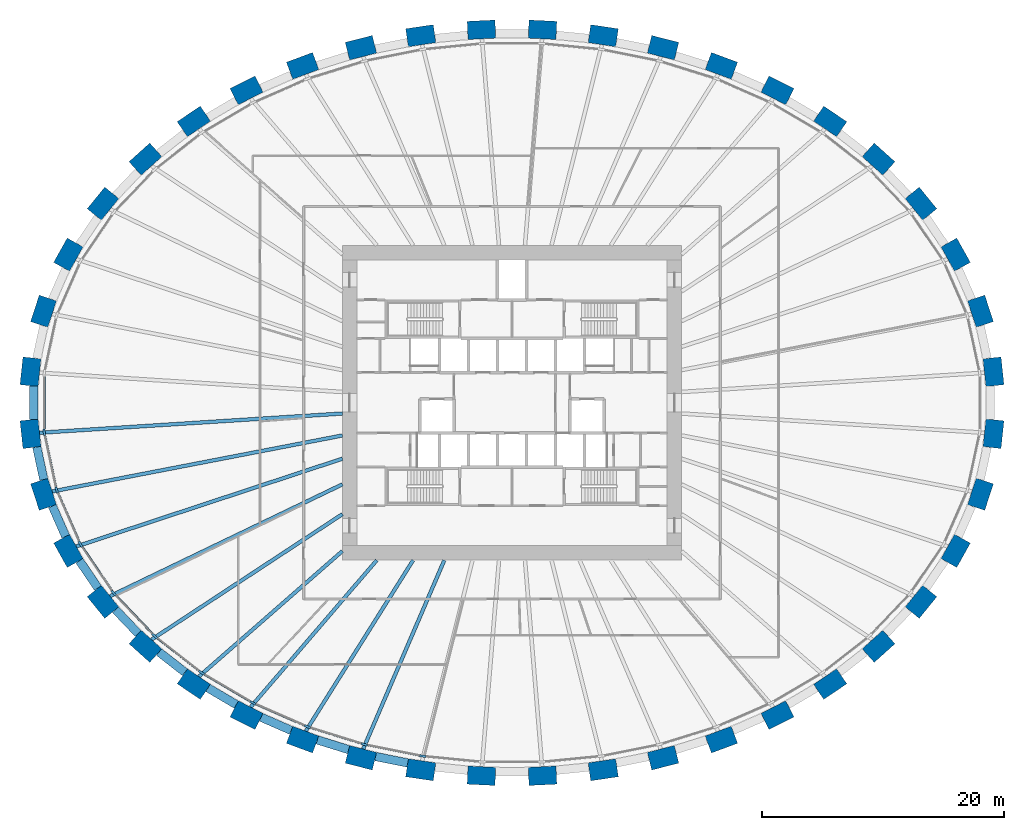
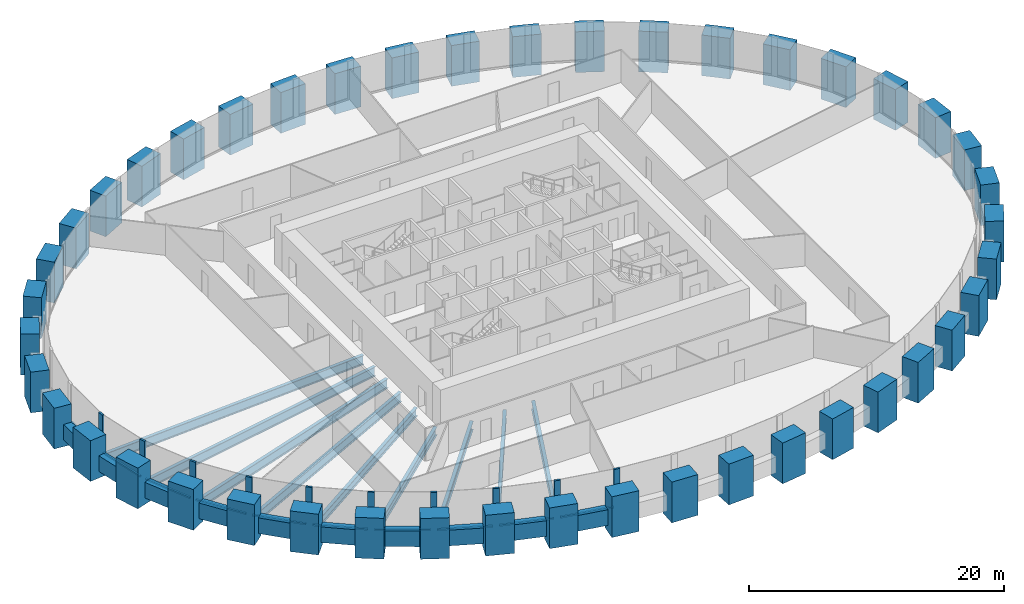
# One storey, part 1 of 10: 44 columns, 20 members, 19 beams, 1 element without a shape of its own.
"""IFC4 building model written with IfcOpenShell, lengths in metres."""

from ifc_helpers import new_model, si_unit, direction, frame, origin, origin_2d, place, context, subcontext, project, spatial, rectangle, i_section, extrude, source, transform, mapped, material, material_profile, profile_set, type_object, element, aggregate, save


model = new_model("IFC4")

# Units and contexts
model_context = context("Model", 3, precision=1e-05, world=origin(), true_north=direction((0.0, 1.0)))
body_context = subcontext(model_context, "Body", "Model", "MODEL_VIEW")
ifc_project = project(units=[si_unit("LENGTHUNIT", "METRE"), si_unit("AREAUNIT", "SQUARE_METRE"), si_unit("VOLUMEUNIT", "CUBIC_METRE"), si_unit("PLANEANGLEUNIT", "RADIAN"), si_unit("MASSUNIT", "GRAM", prefix="KILO")], contexts=[model_context])

# Site, building, storey
site_placement = place(None, origin())
site = spatial("IfcSite", under=ifc_project, at=site_placement, CompositionType="ELEMENT")
building_placement = place(site_placement, origin())
building = spatial("IfcBuilding", under=site, at=building_placement, Name="Embergate Tower", CompositionType="ELEMENT")
storey_placement = place(building_placement, frame((0.0, 0.0, 117.199951171875)))
storey = spatial("IfcBuildingStorey", under=building, at=storey_placement, Name="L25", CompositionType="ELEMENT", Elevation=117.199951171875)

# Columns
ifc_material_1 = material(Name="Concrete C70", Category="concrete")
ifc_material_profile_1 = material_profile(ifc_material_1, rectangle(XDim=1.5, YDim=2.300048828125, at=origin_2d()), Name="RC 1500x2300")
ifc_profile_set_1 = profile_set([ifc_material_profile_1], Name="Concrete C70")
column_type = type_object("IfcColumnType", Name="Ring column RC 1500x2300 C70", PredefinedType="COLUMN", material=ifc_profile_set_1)
shared_shape_1 = source(origin(), body_context, "Body", "SweptSolid", [
    extrude(rectangle(XDim=1.5, YDim=2.300048828125, at=origin_2d()), origin(), (0.0, 0.0, 1.0), 3.89990234375),
])
for number, where, z_axis, x_axis, name in (
    (1, (39.743896484375, 2.556884765625, -1.39990234375), (0.0, 0.0, 1.0), (0.99428589498, 0.106749983816, 0.0), "COL-L25-00"),
    (2, (38.6689453125, 7.553955078125, -1.39990234375), (0.0, 0.0, 1.0), (0.950754033697, 0.309946394413, 0.0), "COL-L25-01"),
    (3, (36.6201171875, 12.22607421875, -1.39990234375), (0.0, 0.0, 1.0), (0.873500465855, 0.486823311018, 0.0), "COL-L25-02"),
    (4, (33.759033203125, 16.43408203125, -1.39990234375), (0.0, 0.0, 1.0), (0.775925311702, 0.630824786022, 0.0), "COL-L25-03"),
    (5, (30.257080078125, 20.10693359375, -1.39990234375), (0.0, 0.0, 1.0), (0.669208424634, 0.74307475021, 0.0), "COL-L25-04"),
    (6, (26.264892578125, 23.222900390625, -1.39990234375), (0.0, 0.0, 1.0), (0.560393279442, 0.828226643109, 0.0), "COL-L25-05"),
    (7, (21.907958984375, 25.784912109375, -1.39990234375), (0.0, 0.0, 1.0), (0.453010512651, 0.891505174089, 0.0), "COL-L25-06"),
    (8, (17.282958984375, 27.806884765625, -1.39990234375), (0.0, 0.0, 1.0), (0.348343015724, 0.93736713373, 0.0), "COL-L25-07"),
    (9, (12.469970703125, 29.305908203125, -1.39990234375), (0.0, 0.0, 1.0), (0.24650851817, 0.969140624713, 0.0), "COL-L25-08"),
    (10, (7.530029296875, 30.297119140625, -1.39990234375), (0.0, 0.0, 1.0), (0.146929011949, 0.989147039346, 0.0), "COL-L25-09"),
    (11, (2.51806640625, 30.7900390625, -1.39990234375), (0.0, 0.0, 1.0), (0.048814904854, 0.998807841912, 0.0), "COL-L25-10"),
    (12, (-2.51806640625, 30.7900390625, -1.39990234375), (0.0, 0.0, 1.0), (-0.048814904854, 0.998807841912, 0.0), "COL-L25-11"),
    (13, (-7.530029296875, 30.297119140625, -1.39990234375), (0.0, 0.0, 1.0), (-0.146929011949, 0.989147039346, 0.0), "COL-L25-12"),
    (14, (-12.469970703125, 29.305908203125, -1.39990234375), (0.0, 0.0, 1.0), (-0.24650851817, 0.969140624713, 0.0), "COL-L25-13"),
    (15, (-17.282958984375, 27.806884765625, -1.39990234375), (0.0, 0.0, 1.0), (-0.348343015724, 0.93736713373, 0.0), "COL-L25-14"),
    (16, (-21.907958984375, 25.784912109375, -1.39990234375), (0.0, 0.0, 1.0), (-0.453010512651, 0.891505174089, 0.0), "COL-L25-15"),
    (17, (-26.264892578125, 23.222900390625, -1.39990234375), (0.0, 0.0, 1.0), (-0.560393279442, 0.828226643109, 0.0), "COL-L25-16"),
    (18, (-30.257080078125, 20.10693359375, -1.39990234375), (0.0, 0.0, 1.0), (-0.669208424634, 0.74307475021, 0.0), "COL-L25-17"),
    (19, (-33.759033203125, 16.43408203125, -1.39990234375), (0.0, 0.0, 1.0), (-0.775925311702, 0.630824786022, 0.0), "COL-L25-18"),
    (20, (-36.6201171875, 12.22607421875, -1.39990234375), (0.0, 0.0, 1.0), (-0.873500465855, 0.486823311018, 0.0), "COL-L25-19"),
    (21, (-38.6689453125, 7.553955078125, -1.39990234375), (0.0, 0.0, 1.0), (-0.950754033697, 0.309946394413, 0.0), "COL-L25-20"),
    (22, (-39.743896484375, 2.556884765625, -1.39990234375), (0.0, 0.0, 1.0), (-0.99428589498, 0.106749983816, 0.0), "COL-L25-21"),
    (23, (-39.743896484375, -2.556884765625, -1.39990234375), (0.0, 0.0, 1.0), (-0.99428589498, -0.106749983816, 0.0), "COL-L25-22"),
    (24, (-38.6689453125, -7.553955078125, -1.39990234375), (0.0, 0.0, 1.0), (-0.950754033697, -0.309946394413, 0.0), "COL-L25-23"),
    (25, (-36.6201171875, -12.22607421875, -1.39990234375), (0.0, 0.0, 1.0), (-0.873500465855, -0.486823311018, 0.0), "COL-L25-24"),
    (26, (-33.759033203125, -16.43408203125, -1.39990234375), (0.0, 0.0, 1.0), (-0.775925311702, -0.630824786022, 0.0), "COL-L25-25"),
    (27, (-30.257080078125, -20.10693359375, -1.39990234375), (0.0, 0.0, 1.0), (-0.669208424634, -0.74307475021, 0.0), "COL-L25-26"),
    (28, (-26.264892578125, -23.222900390625, -1.39990234375), (0.0, 0.0, 1.0), (-0.560393279442, -0.828226643109, 0.0), "COL-L25-27"),
    (29, (-21.907958984375, -25.784912109375, -1.39990234375), (0.0, 0.0, 1.0), (-0.453010512651, -0.891505174089, 0.0), "COL-L25-28"),
    (30, (-17.282958984375, -27.806884765625, -1.39990234375), (0.0, 0.0, 1.0), (-0.348343015724, -0.93736713373, 0.0), "COL-L25-29"),
    (31, (-12.469970703125, -29.305908203125, -1.39990234375), (0.0, 0.0, 1.0), (-0.24650851817, -0.969140624713, 0.0), "COL-L25-30"),
    (32, (-7.530029296875, -30.297119140625, -1.39990234375), (0.0, 0.0, 1.0), (-0.146929011949, -0.989147039346, 0.0), "COL-L25-31"),
    (33, (-2.51806640625, -30.7900390625, -1.39990234375), (0.0, 0.0, 1.0), (-0.048814904854, -0.998807841912, 0.0), "COL-L25-32"),
    (34, (2.51806640625, -30.7900390625, -1.39990234375), (0.0, 0.0, 1.0), (0.048814904854, -0.998807841912, 0.0), "COL-L25-33"),
    (35, (7.530029296875, -30.297119140625, -1.39990234375), (0.0, 0.0, 1.0), (0.146929011949, -0.989147039346, 0.0), "COL-L25-34"),
    (36, (12.469970703125, -29.305908203125, -1.39990234375), (0.0, 0.0, 1.0), (0.24650851817, -0.969140624713, 0.0), "COL-L25-35"),
    (37, (17.282958984375, -27.806884765625, -1.39990234375), (0.0, 0.0, 1.0), (0.348343015724, -0.93736713373, 0.0), "COL-L25-36"),
    (38, (21.907958984375, -25.784912109375, -1.39990234375), (0.0, 0.0, 1.0), (0.453010512651, -0.891505174089, 0.0), "COL-L25-37"),
    (39, (26.264892578125, -23.222900390625, -1.39990234375), (0.0, 0.0, 1.0), (0.560393279442, -0.828226643109, 0.0), "COL-L25-38"),
    (40, (30.257080078125, -20.10693359375, -1.39990234375), (0.0, 0.0, 1.0), (0.669208424634, -0.74307475021, 0.0), "COL-L25-39"),
    (41, (33.759033203125, -16.43408203125, -1.39990234375), (0.0, 0.0, 1.0), (0.775925311702, -0.630824786022, 0.0), "COL-L25-40"),
    (42, (36.6201171875, -12.22607421875, -1.39990234375), (0.0, 0.0, 1.0), (0.873500465855, -0.486823311018, 0.0), "COL-L25-41"),
    (43, (38.6689453125, -7.553955078125, -1.39990234375), (0.0, 0.0, 1.0), (0.950754033697, -0.309946394413, 0.0), "COL-L25-42"),
    (44, (39.743896484375, -2.556884765625, -1.39990234375), (0.0, 0.0, 1.0), (0.99428589498, -0.106749983816, 0.0), "COL-L25-43"),
):
    element("IfcColumn", number, at=place(storey_placement, frame(where, z_axis=z_axis, x_axis=x_axis)), inside=storey, type_object=column_type, Name=name, PredefinedType="COLUMN", context=body_context, shape_type="MappedRepresentation", body=[
        mapped(shared_shape_1, transform((0.0, 0.0, 0.0))),
    ])

# Beams
ifc_material_profile_2 = material_profile(ifc_material_1, rectangle(XDim=0.699951171875, YDim=1.5, at=origin_2d()), Name="RC 700x1500")
ifc_profile_set_2 = profile_set([ifc_material_profile_2], Name="Concrete C70")
beam_type_1 = type_object("IfcBeamType", Name="Spandrel beam RC 700x1500 C70", PredefinedType="BEAM", material=ifc_profile_set_2)
shared_shape_2 = source(origin(), body_context, "Body", "SweptSolid", [
    extrude(rectangle(XDim=0.699951171875, YDim=1.5, at=origin_2d()), origin(), (0.0, 0.0, 1.0), 2.741455078125),
])
beam_1_placement = place(storey_placement, frame((-39.22509765625, -3.657958984375, 0.0), z_axis=(0.210532507107, -0.977586857241, 0.0), x_axis=(0.977586857241, 0.210532507107, 0.0)))
element("IfcBeam", 45, at=beam_1_placement, inside=storey, type_object=beam_type_1, Name="SPN-L25-22", PredefinedType="BEAM", context=body_context, shape_type="MappedRepresentation", body=[
    mapped(shared_shape_2, transform((0.0, 0.0, 0.0))),
])
shared_shape_3 = source(origin(), body_context, "Body", "SweptSolid", [
    extrude(rectangle(XDim=0.699951171875, YDim=1.5, at=origin_2d()), origin(), (0.0, 0.0, 1.0), 2.73779296875),
])
beam_2_placement = place(storey_placement, frame((-37.94091796875, -8.52587890625, 0.0), z_axis=(0.401740219387, -0.915753676556, 0.0), x_axis=(0.915753676556, 0.401740219387, 0.0)))
element("IfcBeam", 46, at=beam_2_placement, inside=storey, type_object=beam_type_1, Name="SPN-L25-23", PredefinedType="BEAM", context=body_context, shape_type="MappedRepresentation", body=[
    mapped(shared_shape_3, transform((0.0, 0.0, 0.0))),
])
shared_shape_4 = source(origin(), body_context, "Body", "SweptSolid", [
    extrude(rectangle(XDim=0.699951171875, YDim=1.5, at=origin_2d()), origin(), (0.0, 0.0, 1.0), 2.727294921875),
])
beam_3_placement = place(storey_placement, frame((-35.7099609375, -13.035888671875, 0.0), z_axis=(0.562422644454, -0.826849907181, 0.0), x_axis=(0.826849907181, 0.562422644454, 0.0)))
element("IfcBeam", 47, at=beam_3_placement, inside=storey, type_object=beam_type_1, Name="SPN-L25-24", PredefinedType="BEAM", context=body_context, shape_type="MappedRepresentation", body=[
    mapped(shared_shape_4, transform((0.0, 0.0, 0.0))),
])
shared_shape_5 = source(origin(), body_context, "Body", "SweptSolid", [
    extrude(rectangle(XDim=0.699951171875, YDim=1.5, at=origin_2d()), origin(), (0.0, 0.0, 1.0), 2.720947265625),
])
beam_4_placement = place(storey_placement, frame((-32.73095703125, -17.0810546875, 0.0), z_axis=(0.690174788546, -0.723642702759, 0.0), x_axis=(0.723642702759, 0.690174788546, 0.0)))
element("IfcBeam", 48, at=beam_4_placement, inside=storey, type_object=beam_type_1, Name="SPN-L25-25", PredefinedType="BEAM", context=body_context, shape_type="MappedRepresentation", body=[
    mapped(shared_shape_5, transform((0.0, 0.0, 0.0))),
])
shared_shape_6 = source(origin(), body_context, "Body", "SweptSolid", [
    extrude(rectangle(XDim=0.699951171875, YDim=1.5, at=origin_2d()), origin(), (0.0, 0.0, 1.0), 2.715087890625),
])
beam_5_placement = place(storey_placement, frame((-29.135009765625, -20.5791015625, 0.0), z_axis=(0.788183854673, -0.61543985184, 0.0), x_axis=(0.61543985184, 0.788183854673, 0.0)))
element("IfcBeam", 49, at=beam_5_placement, inside=storey, type_object=beam_type_1, Name="SPN-L25-26", PredefinedType="BEAM", context=body_context, shape_type="MappedRepresentation", body=[
    mapped(shared_shape_6, transform((0.0, 0.0, 0.0))),
])
shared_shape_7 = source(origin(), body_context, "Body", "SweptSolid", [
    extrude(rectangle(XDim=0.699951171875, YDim=1.5, at=origin_2d()), origin(), (0.0, 0.0, 1.0), 2.70947265625),
])
beam_6_placement = place(storey_placement, frame((-25.093017578125, -23.54296875, 0.0), z_axis=(0.862100939268, -0.506736588884, 0.0), x_axis=(0.506736588884, 0.862100939268, 0.0)))
element("IfcBeam", 50, at=beam_6_placement, inside=storey, type_object=beam_type_1, Name="SPN-L25-27", PredefinedType="BEAM", context=body_context, shape_type="MappedRepresentation", body=[
    mapped(shared_shape_7, transform((0.0, 0.0, 0.0))),
])
shared_shape_8 = source(origin(), body_context, "Body", "SweptSolid", [
    extrude(rectangle(XDim=0.699951171875, YDim=1.5, at=origin_2d()), origin(), (0.0, 0.0, 1.0), 2.70751953125),
])
beam_7_placement = place(storey_placement, frame((-20.7080078125, -25.9619140625, 0.0), z_axis=(0.91635176707, -0.400374123774, 0.0), x_axis=(0.400374123774, 0.91635176707, 0.0)))
element("IfcBeam", 51, at=beam_7_placement, inside=storey, type_object=beam_type_1, Name="SPN-L25-28", PredefinedType="BEAM", context=body_context, shape_type="MappedRepresentation", body=[
    mapped(shared_shape_8, transform((0.0, 0.0, 0.0))),
])
shared_shape_9 = source(origin(), body_context, "Body", "SweptSolid", [
    extrude(rectangle(XDim=0.699951171875, YDim=1.5, at=origin_2d()), origin(), (0.0, 0.0, 1.0), 2.701171875),
])
for number, where, z_axis, x_axis, name in (
    (52, (-16.06494140625, -27.8310546875, 0.0), (0.954683993788, -0.297621356768, 0.0), (0.297621356768, 0.954683993788, 0.0), "SPN-L25-29"),
    (53, (-11.257080078125, -29.202880859375, 0.0), (0.980395998514, -0.197037270836, 0.0), (0.197037270836, 0.980395998514, 0.0), "SPN-L25-30"),
):
    element("IfcBeam", number, at=place(storey_placement, frame(where, z_axis=z_axis, x_axis=x_axis)), inside=storey, type_object=beam_type_1, Name=name, PredefinedType="BEAM", context=body_context, shape_type="MappedRepresentation", body=[
        mapped(shared_shape_9, transform((0.0, 0.0, 0.0))),
    ])
shared_shape_10 = source(origin(), body_context, "Body", "SweptSolid", [
    extrude(rectangle(XDim=0.699951171875, YDim=1.5, at=origin_2d()), origin(), (0.0, 0.0, 1.0), 2.7421875),
])
beam_8_placement = place(storey_placement, frame((-39.468017578125, 1.37109375, 0.0), z_axis=(0.0, -1.0, 0.0), x_axis=(1.0, 0.0, 0.0)))
element("IfcBeam", 54, at=beam_8_placement, inside=storey, type_object=beam_type_1, Name="SPN-L25-21", PredefinedType="BEAM", context=body_context, shape_type="MappedRepresentation", body=[
    mapped(shared_shape_10, transform((0.0, 0.0, 0.0))),
])
ifc_material_2 = material(Name="Steel Q355B", Category="steel")
ifc_material_profile_3 = material_profile(ifc_material_2, i_section(OverallWidth=0.300048828125, OverallDepth=0.89990234375, WebThickness=0.01611328125, FlangeThickness=0.028076171875, FilletRadius=0.028076171875, at=origin_2d()), Name="HN 900x300x16x28")
ifc_profile_set_3 = profile_set([ifc_material_profile_3], Name="Steel Q355 grade B")
beam_type_2 = type_object("IfcBeamType", Name="Radial girder HN 900x300x16x28", PredefinedType="BEAM", material=ifc_profile_set_3)
shared_shape_11 = source(origin(), body_context, "Body", "SweptSolid", [
    extrude(i_section(OverallWidth=0.300048828125, OverallDepth=0.89990234375, WebThickness=0.01611328125, FlangeThickness=0.028076171875, FilletRadius=0.028076171875, at=origin_2d()), origin(), (0.0, 0.0, 1.0), 25.04833984375),
])
beam_9_placement = place(storey_placement, frame((-38.998046875, -2.47705078125, -0.64990234375), z_axis=(0.997988035397, 0.063402533111, 0.0), x_axis=(-0.063402533111, 0.997988035397, 0.0)))
element("IfcBeam", 55, at=beam_9_placement, inside=storey, type_object=beam_type_2, Name="GIR-L25-22", PredefinedType="BEAM", context=body_context, shape_type="MappedRepresentation", body=[
    mapped(shared_shape_11, transform((0.0, 0.0, 0.0))),
])
shared_shape_12 = source(origin(), body_context, "Body", "SweptSolid", [
    extrude(i_section(OverallWidth=0.300048828125, OverallDepth=0.89990234375, WebThickness=0.01611328125, FlangeThickness=0.028076171875, FilletRadius=0.028076171875, at=origin_2d()), origin(), (0.0, 0.0, 1.0), 24.397705078125),
])
beam_10_placement = place(storey_placement, frame((-37.9560546875, -7.322021484375, -0.64990234375), z_axis=(0.981898654656, 0.18940705368, 0.0), x_axis=(-0.18940705368, 0.981898654656, 0.0)))
element("IfcBeam", 56, at=beam_10_placement, inside=storey, type_object=beam_type_2, Name="GIR-L25-23", PredefinedType="BEAM", context=body_context, shape_type="MappedRepresentation", body=[
    mapped(shared_shape_12, transform((0.0, 0.0, 0.0))),
])
shared_shape_13 = source(origin(), body_context, "Body", "SweptSolid", [
    extrude(i_section(OverallWidth=0.300048828125, OverallDepth=0.89990234375, WebThickness=0.01611328125, FlangeThickness=0.028076171875, FilletRadius=0.028076171875, at=origin_2d()), origin(), (0.0, 0.0, 1.0), 23.12890625),
])
beam_11_placement = place(storey_placement, frame((-35.965087890625, -11.861083984375, -0.64990234375), z_axis=(0.949684454756, 0.313208295541, 0.0), x_axis=(-0.313208295541, 0.949684454756, 0.0)))
element("IfcBeam", 57, at=beam_11_placement, inside=storey, type_object=beam_type_2, Name="GIR-L25-24", PredefinedType="BEAM", context=body_context, shape_type="MappedRepresentation", body=[
    mapped(shared_shape_13, transform((0.0, 0.0, 0.0))),
])
shared_shape_14 = source(origin(), body_context, "Body", "SweptSolid", [
    extrude(i_section(OverallWidth=0.300048828125, OverallDepth=0.89990234375, WebThickness=0.01611328125, FlangeThickness=0.028076171875, FilletRadius=0.028076171875, at=origin_2d()), origin(), (0.0, 0.0, 1.0), 21.28076171875),
])
beam_12_placement = place(storey_placement, frame((-33.177001953125, -15.9609375, -0.64990234375), z_axis=(0.901140134985, 0.433527919654, 0.0), x_axis=(-0.433527919654, 0.901140134985, 0.0)))
element("IfcBeam", 58, at=beam_12_placement, inside=storey, type_object=beam_type_2, Name="GIR-L25-25", PredefinedType="BEAM", context=body_context, shape_type="MappedRepresentation", body=[
    mapped(shared_shape_14, transform((0.0, 0.0, 0.0))),
])
ifc_material_profile_4 = material_profile(ifc_material_2, i_section(OverallWidth=0.300048828125, OverallDepth=0.800048828125, WebThickness=0.013916015625, FlangeThickness=0.02587890625, FilletRadius=0.028076171875, at=origin_2d()), Name="HN 800x300x14x26")
ifc_profile_set_4 = profile_set([ifc_material_profile_4], Name="Steel Q355 grade B")
beam_type_3 = type_object("IfcBeamType", Name="Radial girder HN 800x300x14x26", PredefinedType="BEAM", material=ifc_profile_set_4)
shared_shape_15 = source(origin(), body_context, "Body", "SweptSolid", [
    extrude(i_section(OverallWidth=0.300048828125, OverallDepth=0.800048828125, WebThickness=0.013916015625, FlangeThickness=0.02587890625, FilletRadius=0.028076171875, at=origin_2d()), origin(), (0.0, 0.0, 1.0), 18.8515625),
])
beam_13_placement = place(storey_placement, frame((-29.7548828125, -19.550048828125, -0.599853515625), z_axis=(0.835733668862, 0.549134987713, 0.0), x_axis=(-0.549134987713, 0.835733668862, 0.0)))
element("IfcBeam", 59, at=beam_13_placement, inside=storey, type_object=beam_type_3, Name="GIR-L25-26", PredefinedType="BEAM", context=body_context, shape_type="MappedRepresentation", body=[
    mapped(shared_shape_15, transform((0.0, 0.0, 0.0))),
])
shared_shape_16 = source(origin(), body_context, "Body", "SweptSolid", [
    extrude(i_section(OverallWidth=0.300048828125, OverallDepth=0.800048828125, WebThickness=0.013916015625, FlangeThickness=0.02587890625, FilletRadius=0.028076171875, at=origin_2d()), origin(), (0.0, 0.0, 1.0), 15.73583984375),
])
beam_14_placement = place(storey_placement, frame((-25.844970703125, -22.60205078125, -0.599853515625), z_axis=(0.752741020376, 0.658316759807, 0.0), x_axis=(-0.658316759807, 0.752741020376, 0.0)))
element("IfcBeam", 60, at=beam_14_placement, inside=storey, type_object=beam_type_3, Name="GIR-L25-27", PredefinedType="BEAM", context=body_context, shape_type="MappedRepresentation", body=[
    mapped(shared_shape_16, transform((0.0, 0.0, 0.0))),
])
shared_shape_17 = source(origin(), body_context, "Body", "SweptSolid", [
    extrude(i_section(OverallWidth=0.300048828125, OverallDepth=0.800048828125, WebThickness=0.013916015625, FlangeThickness=0.02587890625, FilletRadius=0.028076171875, at=origin_2d()), origin(), (0.0, 0.0, 1.0), 15.969970703125),
])
beam_15_placement = place(storey_placement, frame((-21.568115234375, -25.115966796875, -0.599853515625), z_axis=(0.651474728506, 0.758670335599, 0.0), x_axis=(-0.758670335599, 0.651474728506, 0.0)))
element("IfcBeam", 61, at=beam_15_placement, inside=storey, type_object=beam_type_3, Name="GIR-L25-28", PredefinedType="BEAM", context=body_context, shape_type="MappedRepresentation", body=[
    mapped(shared_shape_17, transform((0.0, 0.0, 0.0))),
])
shared_shape_18 = source(origin(), body_context, "Body", "SweptSolid", [
    extrude(i_section(OverallWidth=0.300048828125, OverallDepth=0.800048828125, WebThickness=0.013916015625, FlangeThickness=0.02587890625, FilletRadius=0.028076171875, at=origin_2d()), origin(), (0.0, 0.0, 1.0), 16.65478515625),
])
beam_16_placement = place(storey_placement, frame((-17.02197265625, -27.10400390625, -0.599853515625), z_axis=(0.531850282952, 0.846838400478, 0.0), x_axis=(-0.846838400478, 0.531850282952, 0.0)))
element("IfcBeam", 62, at=beam_16_placement, inside=storey, type_object=beam_type_3, Name="GIR-L25-29", PredefinedType="BEAM", context=body_context, shape_type="MappedRepresentation", body=[
    mapped(shared_shape_18, transform((0.0, 0.0, 0.0))),
])
shared_shape_19 = source(origin(), body_context, "Body", "SweptSolid", [
    extrude(i_section(OverallWidth=0.300048828125, OverallDepth=0.800048828125, WebThickness=0.013916015625, FlangeThickness=0.02587890625, FilletRadius=0.028076171875, at=origin_2d()), origin(), (0.0, 0.0, 1.0), 16.95751953125),
])
beam_17_placement = place(storey_placement, frame((-12.284912109375, -28.5791015625, -0.599853515625), z_axis=(0.394928600028, 0.918711816012, 0.0), x_axis=(-0.918711816012, 0.394928600028, 0.0)))
element("IfcBeam", 63, at=beam_17_placement, inside=storey, type_object=beam_type_3, Name="GIR-L25-30", PredefinedType="BEAM", context=body_context, shape_type="MappedRepresentation", body=[
    mapped(shared_shape_19, transform((0.0, 0.0, 0.0))),
])

# Curtain wall, members
ifc_material_3 = material(Name="Aluminium and glass", Category="aluminium")
curtain_wall_type = type_object("IfcCurtainWallType", Name="Recessed office glazing", PredefinedType="NOTDEFINED", material=ifc_material_3)
curtain_wall_placement = place(storey_placement, origin())
curtain_wall = element("IfcCurtainWall", 64, at=curtain_wall_placement, inside=storey, type_object=curtain_wall_type, Name="Recessed office glazing ring", ObjectType="RECESSED OFFICE GLAZING", PredefinedType="USERDEFINED")
ifc_material_4 = material(Name="Aluminium, thermally broken", Category="aluminium")
ifc_material_profile_5 = material_profile(ifc_material_4, rectangle(XDim=0.179931640625, YDim=0.52001953125, at=origin_2d()), Name="AL 520x180")
ifc_profile_set_5 = profile_set([ifc_material_profile_5], Name="Aluminium, thermally broken")
member_type_1 = type_object("IfcMemberType", Name="Office mullion", PredefinedType="MULLION", material=ifc_profile_set_5)
shared_shape_20 = source(origin(), body_context, "Body", "SweptSolid", [
    extrude(rectangle(XDim=0.179931640625, YDim=0.52001953125, at=origin_2d()), origin(), (0.0, 0.0, 1.0), 3.699951171875),
])
member_1_placement = place(storey_placement, frame((-38.610595703125, -2.435791015625, 0.0), z_axis=(0.0, 0.0, 1.0), x_axis=(0.994385324123, 0.105819786286, 0.0)))
member_1 = element("IfcMember", 65, at=member_1_placement, type_object=member_type_1, Name="CW mullion 23", PredefinedType="MULLION", context=body_context, shape_type="MappedRepresentation", body=[
    mapped(shared_shape_20, transform((0.0, 0.0, 0.0))),
])
member_2_placement = place(storey_placement, frame((-37.5849609375, -7.20068359375, 0.0), z_axis=(0.0, 0.0, 1.0), x_axis=(0.951500482757, 0.30764725143, 0.0)))
member_2 = element("IfcMember", 66, at=member_2_placement, type_object=member_type_1, Name="CW mullion 24", PredefinedType="MULLION", context=body_context, shape_type="MappedRepresentation", body=[
    mapped(shared_shape_20, transform((0.0, 0.0, 0.0))),
])
member_3_placement = place(storey_placement, frame((-35.62451171875, -11.6708984375, 0.0), z_axis=(0.0, 0.0, 1.0), x_axis=(0.875006965472, 0.484110328723, 0.0)))
member_3 = element("IfcMember", 67, at=member_3_placement, type_object=member_type_1, Name="CW mullion 25", PredefinedType="MULLION", context=body_context, shape_type="MappedRepresentation", body=[
    mapped(shared_shape_20, transform((0.0, 0.0, 0.0))),
])
member_4_placement = place(storey_placement, frame((-32.87451171875, -15.714599609375, 0.0), z_axis=(0.0, 0.0, 1.0), x_axis=(0.777879145133, 0.628413904658, 0.0)))
member_4 = element("IfcMember", 68, at=member_4_placement, type_object=member_type_1, Name="CW mullion 26", PredefinedType="MULLION", context=body_context, shape_type="MappedRepresentation", body=[
    mapped(shared_shape_20, transform((0.0, 0.0, 0.0))),
])
member_5_placement = place(storey_placement, frame((-29.49365234375, -19.260009765625, 0.0), z_axis=(0.0, 0.0, 1.0), x_axis=(0.671233002577, 0.741246420734, 0.0)))
member_5 = element("IfcMember", 69, at=member_5_placement, type_object=member_type_1, Name="CW mullion 27", PredefinedType="MULLION", context=body_context, shape_type="MappedRepresentation", body=[
    mapped(shared_shape_20, transform((0.0, 0.0, 0.0))),
])
member_6_placement = place(storey_placement, frame((-25.6259765625, -22.278564453125, 0.0), z_axis=(0.0, 0.0, 1.0), x_axis=(0.562223392005, 0.826985403428, 0.0)))
member_6 = element("IfcMember", 70, at=member_6_placement, type_object=member_type_1, Name="CW mullion 28", PredefinedType="MULLION", context=body_context, shape_type="MappedRepresentation", body=[
    mapped(shared_shape_20, transform((0.0, 0.0, 0.0))),
])
member_7_placement = place(storey_placement, frame((-21.391357421875, -24.768310546875, 0.0), z_axis=(0.0, 0.0, 1.0), x_axis=(0.454516044429, 0.890738550506, 0.0)))
member_7 = element("IfcMember", 71, at=member_7_placement, type_object=member_type_1, Name="CW mullion 29", PredefinedType="MULLION", context=body_context, shape_type="MappedRepresentation", body=[
    mapped(shared_shape_20, transform((0.0, 0.0, 0.0))),
])
member_8_placement = place(storey_placement, frame((-16.88623046875, -26.73828125, 0.0), z_axis=(0.0, 0.0, 1.0), x_axis=(0.34950595337, 0.936934143128, 0.0)))
member_8 = element("IfcMember", 72, at=member_8_placement, type_object=member_type_1, Name="CW mullion 30", PredefinedType="MULLION", context=body_context, shape_type="MappedRepresentation", body=[
    mapped(shared_shape_20, transform((0.0, 0.0, 0.0))),
])
member_9_placement = place(storey_placement, frame((-12.1884765625, -28.201171875, 0.0), z_axis=(0.0, 0.0, 1.0), x_axis=(0.247315263593, 0.968935065107, 0.0)))
member_9 = element("IfcMember", 73, at=member_9_placement, type_object=member_type_1, Name="CW mullion 31", PredefinedType="MULLION", context=body_context, shape_type="MappedRepresentation", body=[
    mapped(shared_shape_20, transform((0.0, 0.0, 0.0))),
])
member_10_placement = place(storey_placement, frame((-7.3623046875, -29.169189453125, 0.0), z_axis=(0.0, 0.0, 1.0), x_axis=(0.14741410908, 0.98907486089, 0.0)))
member_10 = element("IfcMember", 74, at=member_10_placement, type_object=member_type_1, Name="CW mullion 32", PredefinedType="MULLION", context=body_context, shape_type="MappedRepresentation", body=[
    mapped(shared_shape_20, transform((0.0, 0.0, 0.0))),
])
ifc_material_profile_6 = material_profile(ifc_material_4, rectangle(XDim=0.179931640625, YDim=0.14990234375, at=origin_2d()), Name="AL 150x180")
ifc_profile_set_6 = profile_set([ifc_material_profile_6], Name="Aluminium, thermally broken")
member_type_2 = type_object("IfcMemberType", Name="Office sill transom", PredefinedType="USERDEFINED", material=ifc_profile_set_6)
shared_shape_21 = source(origin(), body_context, "Body", "SweptSolid", [
    extrude(rectangle(XDim=0.179931640625, YDim=0.14990234375, at=origin_2d()), origin(), (0.0, 0.0, 1.0), 4.361083984375),
])
member_11_placement = place(storey_placement, frame((-37.48046875, -7.43896484375, 0.074951171875), z_axis=(0.401614544281, -0.915808799817, 0.0), x_axis=(0.915808799817, 0.401614544281, 0.0)))
member_11 = element("IfcMember", 75, at=member_11_placement, type_object=member_type_2, Name="CW transom 24.1", ObjectType="TRANSOM", PredefinedType="USERDEFINED", context=body_context, shape_type="MappedRepresentation", body=[
    mapped(shared_shape_21, transform((0.0, 0.0, 0.0))),
])
shared_shape_22 = source(origin(), body_context, "Body", "SweptSolid", [
    extrude(rectangle(XDim=0.179931640625, YDim=0.14990234375, at=origin_2d()), origin(), (0.0, 0.0, 1.0), 4.37890625),
])
member_12_placement = place(storey_placement, frame((-32.695068359375, -15.90283203125, 0.074951171875), z_axis=(0.690125589668, -0.723689623032, 0.0), x_axis=(0.723689623032, 0.690125589668, 0.0)))
member_12 = element("IfcMember", 76, at=member_12_placement, type_object=member_type_2, Name="CW transom 26.1", ObjectType="TRANSOM", PredefinedType="USERDEFINED", context=body_context, shape_type="MappedRepresentation", body=[
    mapped(shared_shape_22, transform((0.0, 0.0, 0.0))),
])
shared_shape_23 = source(origin(), body_context, "Body", "SweptSolid", [
    extrude(rectangle(XDim=0.179931640625, YDim=0.14990234375, at=origin_2d()), origin(), (0.0, 0.0, 1.0), 4.354248046875),
])
member_13_placement = place(storey_placement, frame((-38.555908203125, -2.68994140625, 0.074951171875), z_axis=(0.21042500241, -0.977610003202, 0.0), x_axis=(0.977610003202, 0.21042500241, 0.0)))
member_13 = element("IfcMember", 77, at=member_13_placement, type_object=member_type_2, Name="CW transom 23.1", ObjectType="TRANSOM", PredefinedType="USERDEFINED", context=body_context, shape_type="MappedRepresentation", body=[
    mapped(shared_shape_23, transform((0.0, 0.0, 0.0))),
])
shared_shape_24 = source(origin(), body_context, "Body", "SweptSolid", [
    extrude(rectangle(XDim=0.179931640625, YDim=0.14990234375, at=origin_2d()), origin(), (0.0, 0.0, 1.0), 4.3701171875),
])
member_14_placement = place(storey_placement, frame((-35.478271484375, -11.885986328125, 0.074951171875), z_axis=(0.562334469625, -0.826909876753, 0.0), x_axis=(0.826909876753, 0.562334469625, 0.0)))
member_14 = element("IfcMember", 78, at=member_14_placement, type_object=member_type_2, Name="CW transom 25.1", ObjectType="TRANSOM", PredefinedType="USERDEFINED", context=body_context, shape_type="MappedRepresentation", body=[
    mapped(shared_shape_24, transform((0.0, 0.0, 0.0))),
])
shared_shape_25 = source(origin(), body_context, "Body", "SweptSolid", [
    extrude(rectangle(XDim=0.179931640625, YDim=0.14990234375, at=origin_2d()), origin(), (0.0, 0.0, 1.0), 4.386474609375),
])
member_15_placement = place(storey_placement, frame((-29.288818359375, -19.419921875, 0.074951171875), z_axis=(0.78833816957, -0.615242172156, 0.0), x_axis=(0.615242172156, 0.78833816957, 0.0)))
member_15 = element("IfcMember", 79, at=member_15_placement, type_object=member_type_2, Name="CW transom 27.1", ObjectType="TRANSOM", PredefinedType="USERDEFINED", context=body_context, shape_type="MappedRepresentation", body=[
    mapped(shared_shape_25, transform((0.0, 0.0, 0.0))),
])
shared_shape_26 = source(origin(), body_context, "Body", "SweptSolid", [
    extrude(rectangle(XDim=0.179931640625, YDim=0.14990234375, at=origin_2d()), origin(), (0.0, 0.0, 1.0), 4.392333984375),
])
member_16_placement = place(storey_placement, frame((-25.40185546875, -22.410400390625, 0.074951171875), z_axis=(0.862029933252, -0.506857370645, 0.0), x_axis=(0.506857370645, 0.862029933252, 0.0)))
member_16 = element("IfcMember", 80, at=member_16_placement, type_object=member_type_2, Name="CW transom 28.1", ObjectType="TRANSOM", PredefinedType="USERDEFINED", context=body_context, shape_type="MappedRepresentation", body=[
    mapped(shared_shape_26, transform((0.0, 0.0, 0.0))),
])
shared_shape_27 = source(origin(), body_context, "Body", "SweptSolid", [
    extrude(rectangle(XDim=0.179931640625, YDim=0.14990234375, at=origin_2d()), origin(), (0.0, 0.0, 1.0), 4.396728515625),
])
member_17_placement = place(storey_placement, frame((-21.153076171875, -24.87255859375, 0.074951171875), z_axis=(0.91624269748, -0.400623662949, 0.0), x_axis=(0.400623662949, 0.91624269748, 0.0)))
member_17 = element("IfcMember", 81, at=member_17_placement, type_object=member_type_2, Name="CW transom 29.1", ObjectType="TRANSOM", PredefinedType="USERDEFINED", context=body_context, shape_type="MappedRepresentation", body=[
    mapped(shared_shape_27, transform((0.0, 0.0, 0.0))),
])
shared_shape_28 = source(origin(), body_context, "Body", "SweptSolid", [
    extrude(rectangle(XDim=0.179931640625, YDim=0.14990234375, at=origin_2d()), origin(), (0.0, 0.0, 1.0), 4.400146484375),
])
member_18_placement = place(storey_placement, frame((-16.637939453125, -26.815673828125, 0.074951171875), z_axis=(0.954787500192, -0.297289134474, 0.0), x_axis=(0.297289134474, 0.954787500192, 0.0)))
member_18 = element("IfcMember", 82, at=member_18_placement, type_object=member_type_2, Name="CW transom 30.1", ObjectType="TRANSOM", PredefinedType="USERDEFINED", context=body_context, shape_type="MappedRepresentation", body=[
    mapped(shared_shape_28, transform((0.0, 0.0, 0.0))),
])
shared_shape_29 = source(origin(), body_context, "Body", "SweptSolid", [
    extrude(rectangle(XDim=0.179931640625, YDim=0.14990234375, at=origin_2d()), origin(), (0.0, 0.0, 1.0), 4.40234375),
])
member_19_placement = place(storey_placement, frame((-11.93359375, -28.25244140625, 0.074951171875), z_axis=(0.980473883267, -0.196649343329, 0.0), x_axis=(0.196649343329, 0.980473883267, 0.0)))
member_19 = element("IfcMember", 83, at=member_19_placement, type_object=member_type_2, Name="CW transom 31.1", ObjectType="TRANSOM", PredefinedType="USERDEFINED", context=body_context, shape_type="MappedRepresentation", body=[
    mapped(shared_shape_29, transform((0.0, 0.0, 0.0))),
])
shared_shape_30 = source(origin(), body_context, "Body", "SweptSolid", [
    extrude(rectangle(XDim=0.179931640625, YDim=0.14990234375, at=origin_2d()), origin(), (0.0, 0.0, 1.0), 4.3515625),
])
member_20_placement = place(storey_placement, frame((-38.610595703125, 2.17578125, 0.074951171875), z_axis=(0.0, -1.0, 0.0), x_axis=(1.0, 0.0, 0.0)))
member_20 = element("IfcMember", 84, at=member_20_placement, type_object=member_type_2, Name="CW transom 22.1", ObjectType="TRANSOM", PredefinedType="USERDEFINED", context=body_context, shape_type="MappedRepresentation", body=[
    mapped(shared_shape_30, transform((0.0, 0.0, 0.0))),
])
aggregate(curtain_wall, [member_1, member_2, member_3, member_4, member_5, member_6, member_7, member_8, member_9, member_10, member_20, member_13, member_11, member_14, member_12, member_15, member_16, member_17, member_18, member_19])

save(model, "model.ifc")
